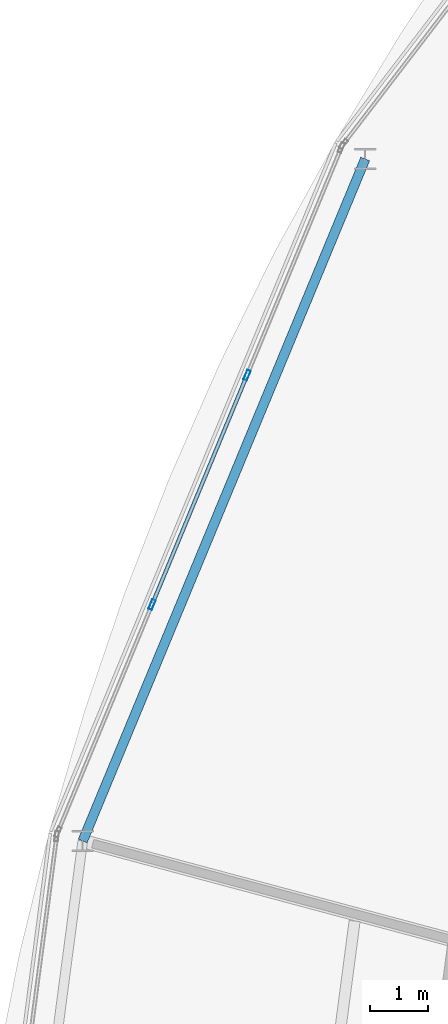
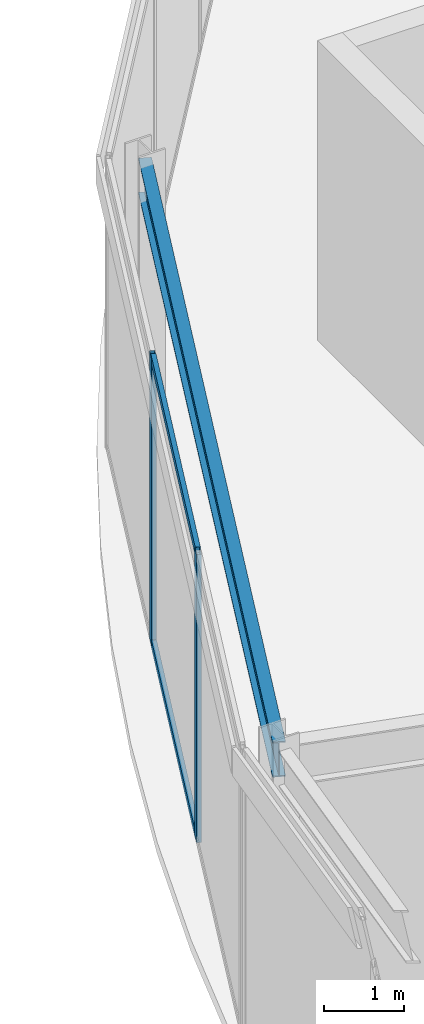
# One storey, part 58 of 157: 4 members, 1 beam, 1 element without a shape of its own.
"""IFC4 building model written with IfcOpenShell, lengths in metres."""

from ifc_helpers import new_model, si_unit, direction, frame, origin, origin_2d, place, context, subcontext, project, spatial, hollow_rectangle, i_section, extrude, material, material_profile, profile_set, type_object, element, aggregate, save


model = new_model("IFC4")

# Units and contexts
model_context = context("Model", 3, precision=1e-05, world=origin(), true_north=direction((0.0, 1.0)))
body_context = subcontext(model_context, "Body", "Model", "MODEL_VIEW")
ifc_project = project(units=[si_unit("LENGTHUNIT", "METRE"), si_unit("AREAUNIT", "SQUARE_METRE"), si_unit("VOLUMEUNIT", "CUBIC_METRE"), si_unit("PLANEANGLEUNIT", "RADIAN"), si_unit("MASSUNIT", "GRAM", prefix="KILO")], contexts=[model_context])

# Site, building, storey
site_placement = place(None, origin())
site = spatial("IfcSite", under=ifc_project, at=site_placement, CompositionType="ELEMENT")
building_placement = place(site_placement, origin())
building = spatial("IfcBuilding", under=site, at=building_placement, Name="Almandine Court Research Institute", CompositionType="ELEMENT")
storey_placement = place(building_placement, frame((0.0, 0.0, 5.25)))
storey = spatial("IfcBuildingStorey", under=building, at=storey_placement, Name="L01", CompositionType="ELEMENT", Elevation=5.25)

# Beam
ifc_material_1 = material(Name="Steel ASTM A992 Grade 50", Category="steel")
ifc_material_profile_1 = material_profile(ifc_material_1, i_section(OverallWidth=0.166015625, OverallDepth=0.534912109375, WebThickness=0.010009765625, FlangeThickness=0.01708984375, at=origin_2d()), Name="W530x85")
ifc_profile_set_1 = profile_set([ifc_material_profile_1], Name="Steel ASTM A992 Grade 50")
beam_type = type_object("IfcBeamType", Name="Beam-G-05-E", PredefinedType="SPANDREL", material=ifc_profile_set_1)
beam_placement = place(storey_placement, frame((44.65087890625, 80.449951171875, 4.10205078125), z_axis=(-0.382653578879, -0.923891897665, 0.0), x_axis=(0.923891897665, -0.382653578879, 0.0)))
element("IfcBeam", 1, at=beam_placement, inside=storey, type_object=beam_type, Name="L01 Drum OUT Ring Beam 10", PredefinedType="SPANDREL", context=body_context, shape_type="SweptSolid", body=[
    extrude(i_section(OverallWidth=0.166015625, OverallDepth=0.534912109375, WebThickness=0.010009765625, FlangeThickness=0.01708984375, at=origin_2d()), origin(), (0.0, 0.0, 1.0), 12.765625),
])

# Curtain wall, members
ifc_material_2 = material(Name="Unitised Curtain Wall Framing and Solar Glazing", Category="glass")
curtain_wall_type = type_object("IfcCurtainWallType", Name="CW-CWJ-19", PredefinedType="USERDEFINED", material=ifc_material_2)
curtain_wall_placement = place(storey_placement, origin())
curtain_wall = element("IfcCurtainWall", 2, at=curtain_wall_placement, inside=storey, type_object=curtain_wall_type, Name="L01 Stacked-Ring Drum Outer Solar Jali Screen 10", ObjectType="SOLAR JALI SCREEN", PredefinedType="USERDEFINED")
ifc_material_3 = material(Name="Anodised Aluminium AW-6063-T6", Category="aluminium")
ifc_material_profile_2 = material_profile(ifc_material_3, hollow_rectangle(XDim=0.06494140625, YDim=0.179931640625, WallThickness=0.00390625, at=origin_2d()), Name="ALU RHS 65x180x4")
ifc_profile_set_2 = profile_set([ifc_material_profile_2], Name="Anodised Aluminium AW-6063-T6")
member_type_1 = type_object("IfcMemberType", Name="CWMul-65x180", PredefinedType="MULLION", material=ifc_profile_set_2)
member_1_placement = place(storey_placement, frame((40.965576171875, 72.7451171875, 0.0), z_axis=(0.0, 0.0, 1.0), x_axis=(-0.923888124321, 0.382662689242, 0.0)))
member_1 = element("IfcMember", 3, at=member_1_placement, type_object=member_type_1, Name="CWJ-19 mullion 2", PredefinedType="MULLION", context=body_context, shape_type="SweptSolid", body=[
    extrude(hollow_rectangle(XDim=0.06494140625, YDim=0.179931640625, WallThickness=0.00390625, at=origin_2d()), origin(), (0.0, 0.0, 1.0), 4.3701171875),
])
member_2_placement = place(storey_placement, frame((42.6083984375, 76.7109375, 0.0), z_axis=(0.0, 0.0, 1.0), x_axis=(-0.923888124321, 0.382662689242, 0.0)))
member_2 = element("IfcMember", 4, at=member_2_placement, type_object=member_type_1, Name="CWJ-19 mullion 3", PredefinedType="MULLION", context=body_context, shape_type="SweptSolid", body=[
    extrude(hollow_rectangle(XDim=0.06494140625, YDim=0.179931640625, WallThickness=0.00390625, at=origin_2d()), origin(), (0.0, 0.0, 1.0), 4.3701171875),
])
ifc_material_profile_3 = material_profile(ifc_material_3, hollow_rectangle(XDim=0.06494140625, YDim=0.1298828125, WallThickness=0.00390625, at=origin_2d()), Name="ALU RHS 65x130x4")
ifc_profile_set_3 = profile_set([ifc_material_profile_3], Name="Anodised Aluminium AW-6063-T6")
member_type_2 = type_object("IfcMemberType", Name="CWTrn-65x130", PredefinedType="NOTDEFINED", material=ifc_profile_set_3)
member_3_placement = place(storey_placement, frame((40.97802734375, 72.775146484375, 0.032470703125), z_axis=(0.382703712437, 0.92387113197, 0.0), x_axis=(-0.92387113197, 0.382703712437, 0.0)))
member_3 = element("IfcMember", 5, at=member_3_placement, type_object=member_type_2, Name="CWJ-19 transom 2.1", ObjectType="TRANSOM", PredefinedType="USERDEFINED", context=body_context, shape_type="SweptSolid", body=[
    extrude(hollow_rectangle(XDim=0.06494140625, YDim=0.1298828125, WallThickness=0.00390625, at=origin_2d()), origin(), (0.0, 0.0, 1.0), 4.2275390625),
])
member_4_placement = place(storey_placement, frame((40.97802734375, 72.775146484375, 4.33740234375), z_axis=(0.382703712437, 0.92387113197, 0.0), x_axis=(-0.92387113197, 0.382703712437, 0.0)))
member_4 = element("IfcMember", 6, at=member_4_placement, type_object=member_type_2, Name="CWJ-19 transom 2.2", ObjectType="TRANSOM", PredefinedType="USERDEFINED", context=body_context, shape_type="SweptSolid", body=[
    extrude(hollow_rectangle(XDim=0.06494140625, YDim=0.1298828125, WallThickness=0.00390625, at=origin_2d()), origin(), (0.0, 0.0, 1.0), 4.2275390625),
])
aggregate(curtain_wall, [member_1, member_2, member_3, member_4])

save(model, "model.ifc")
